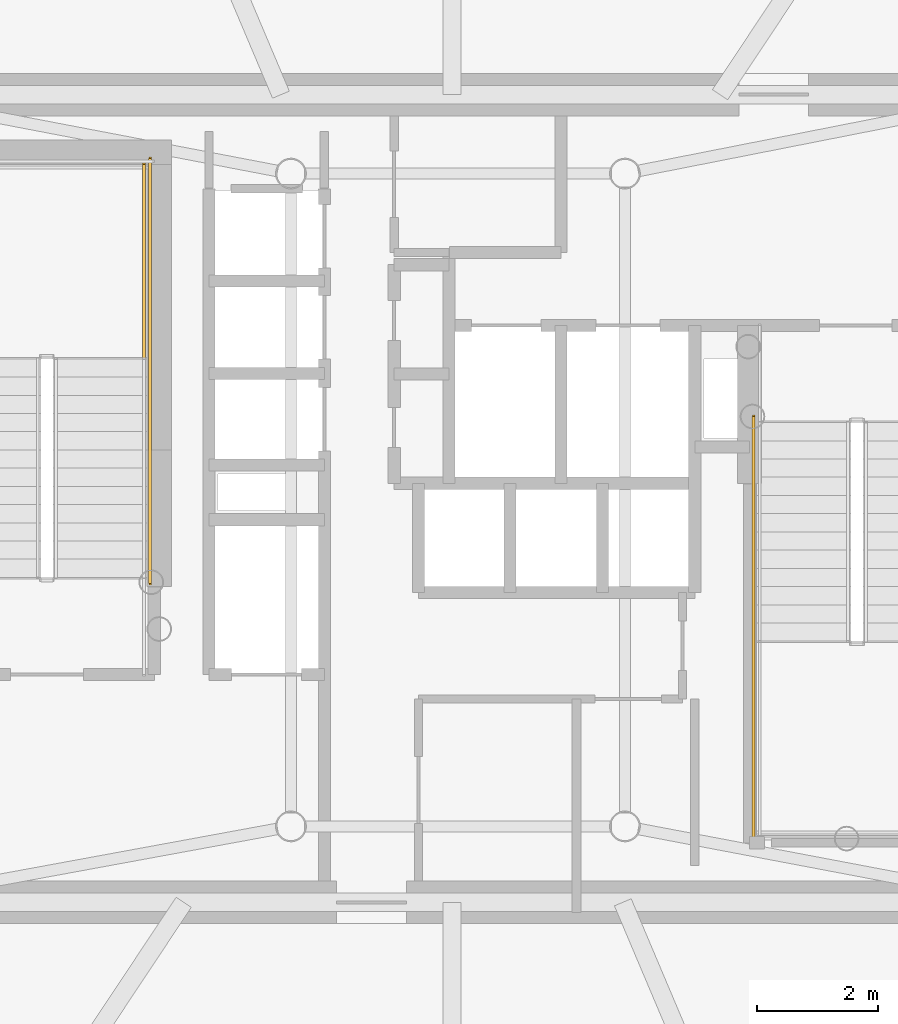
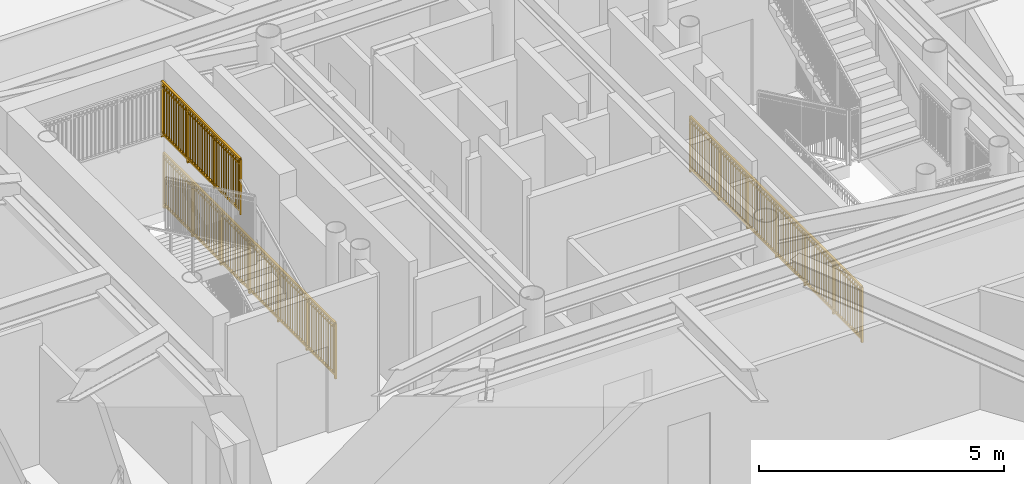
# One storey, part 15 of 18: 3 railings.
"""IFC4 building model written with IfcOpenShell, lengths in metres."""

from ifc_helpers import new_model, si_unit, direction, frame, origin, origin_2d, place, context, subcontext, project, spatial, rectangle, extrude, source, transform, mapped, material, type_object, element, save


model = new_model("IFC4")

# Units and contexts
model_context = context("Model", 3, precision=1e-05, world=origin(), true_north=direction((0.0, 1.0)))
body_context = subcontext(model_context, "Body", "Model", "MODEL_VIEW")
ifc_project = project(units=[si_unit("LENGTHUNIT", "METRE"), si_unit("AREAUNIT", "SQUARE_METRE"), si_unit("VOLUMEUNIT", "CUBIC_METRE"), si_unit("PLANEANGLEUNIT", "RADIAN"), si_unit("MASSUNIT", "GRAM", prefix="KILO")], contexts=[model_context])

# Site, building, storey
site_placement = place(None, origin())
site = spatial("IfcSite", under=ifc_project, at=site_placement, CompositionType="ELEMENT")
building_placement = place(site_placement, origin())
building = spatial("IfcBuilding", under=site, at=building_placement, Name="Linh Dai School and Residence Tower", CompositionType="ELEMENT")
storey_placement = place(building_placement, frame((0.0, 0.0, 244.050048828125)))
storey = spatial("IfcBuildingStorey", under=building, at=storey_placement, Name="L60", CompositionType="ELEMENT", Elevation=244.050048828125)

# Railings
ifc_material = material(Name="Structural Steel S355JR", Category="steel")
railing_type = type_object("IfcRailingType", Name="RL-ST-GUARD-1400", PredefinedType="GUARDRAIL", material=ifc_material)
shared_shape_1 = source(origin(), body_context, "Body", "SweptSolid", [
    extrude(rectangle(XDim=0.048095703125, YDim=0.048095703125, at=origin_2d()), frame((0.0, 0.0, 1.3759765625), z_axis=(0.0, 1.0, 0.0), x_axis=(-1.0, 0.0, 0.0)), (0.0, 0.0, 1.0), 7.0),
    extrude(rectangle(XDim=0.048095703125, YDim=0.048095703125, at=origin_2d()), frame((0.0, 0.0, 0.10009765625), z_axis=(0.0, 1.0, 0.0), x_axis=(-1.0, 0.0, 0.0)), (0.0, 0.0, 1.0), 7.0),
    extrude(rectangle(XDim=0.030029296875, YDim=0.030029296875, at=origin_2d()), frame((0.0, 0.0, 1.239990234375), z_axis=(0.0, 1.0, 0.0), x_axis=(-1.0, 0.0, 0.0)), (0.0, 0.0, 1.0), 7.0),
    extrude(rectangle(XDim=0.02001953125, YDim=0.02001953125, at=origin_2d()), frame((0.0, 0.09716796875, 0.10009765625)), (0.0, 0.0, 1.0), 1.251708984375),
    extrude(rectangle(XDim=0.02001953125, YDim=0.02001953125, at=origin_2d()), frame((0.0, 0.1943359375, 0.10009765625)), (0.0, 0.0, 1.0), 1.251708984375),
    extrude(rectangle(XDim=0.02001953125, YDim=0.02001953125, at=origin_2d()), frame((0.0, 0.291748046875, 0.10009765625)), (0.0, 0.0, 1.0), 1.251708984375),
    extrude(rectangle(XDim=0.02001953125, YDim=0.02001953125, at=origin_2d()), frame((0.0, 0.388916015625, 0.10009765625)), (0.0, 0.0, 1.0), 1.251708984375),
    extrude(rectangle(XDim=0.02001953125, YDim=0.02001953125, at=origin_2d()), frame((0.0, 0.486083984375, 0.10009765625)), (0.0, 0.0, 1.0), 1.251708984375),
    extrude(rectangle(XDim=0.02001953125, YDim=0.02001953125, at=origin_2d()), frame((0.0, 0.583251953125, 0.10009765625)), (0.0, 0.0, 1.0), 1.251708984375),
    extrude(rectangle(XDim=0.02001953125, YDim=0.02001953125, at=origin_2d()), frame((0.0, 0.6806640625, 0.10009765625)), (0.0, 0.0, 1.0), 1.251708984375),
    extrude(rectangle(XDim=0.02001953125, YDim=0.02001953125, at=origin_2d()), frame((0.0, 0.77783203125, 0.10009765625)), (0.0, 0.0, 1.0), 1.251708984375),
    extrude(rectangle(XDim=0.02001953125, YDim=0.02001953125, at=origin_2d()), frame((0.0, 0.875, 0.10009765625)), (0.0, 0.0, 1.0), 1.251708984375),
    extrude(rectangle(XDim=0.02001953125, YDim=0.02001953125, at=origin_2d()), frame((0.0, 0.97216796875, 0.10009765625)), (0.0, 0.0, 1.0), 1.251708984375),
    extrude(rectangle(XDim=0.02001953125, YDim=0.02001953125, at=origin_2d()), frame((0.0, 1.0693359375, 0.10009765625)), (0.0, 0.0, 1.0), 1.251708984375),
    extrude(rectangle(XDim=0.02001953125, YDim=0.02001953125, at=origin_2d()), frame((0.0, 1.263916015625, 0.10009765625)), (0.0, 0.0, 1.0), 1.251708984375),
    extrude(rectangle(XDim=0.02001953125, YDim=0.02001953125, at=origin_2d()), frame((0.0, 1.361083984375, 0.10009765625)), (0.0, 0.0, 1.0), 1.251708984375),
    extrude(rectangle(XDim=0.02001953125, YDim=0.02001953125, at=origin_2d()), frame((0.0, 1.458251953125, 0.10009765625)), (0.0, 0.0, 1.0), 1.251708984375),
    extrude(rectangle(XDim=0.02001953125, YDim=0.02001953125, at=origin_2d()), frame((0.0, 1.5556640625, 0.10009765625)), (0.0, 0.0, 1.0), 1.251708984375),
    extrude(rectangle(XDim=0.02001953125, YDim=0.02001953125, at=origin_2d()), frame((0.0, 1.65283203125, 0.10009765625)), (0.0, 0.0, 1.0), 1.251708984375),
    extrude(rectangle(XDim=0.02001953125, YDim=0.02001953125, at=origin_2d()), frame((0.0, 1.75, 0.10009765625)), (0.0, 0.0, 1.0), 1.251708984375),
    extrude(rectangle(XDim=0.02001953125, YDim=0.02001953125, at=origin_2d()), frame((0.0, 1.84716796875, 0.10009765625)), (0.0, 0.0, 1.0), 1.251708984375),
    extrude(rectangle(XDim=0.02001953125, YDim=0.02001953125, at=origin_2d()), frame((0.0, 1.9443359375, 0.10009765625)), (0.0, 0.0, 1.0), 1.251708984375),
    extrude(rectangle(XDim=0.02001953125, YDim=0.02001953125, at=origin_2d()), frame((0.0, 2.041748046875, 0.10009765625)), (0.0, 0.0, 1.0), 1.251708984375),
    extrude(rectangle(XDim=0.02001953125, YDim=0.02001953125, at=origin_2d()), frame((0.0, 2.138916015625, 0.10009765625)), (0.0, 0.0, 1.0), 1.251708984375),
    extrude(rectangle(XDim=0.02001953125, YDim=0.02001953125, at=origin_2d()), frame((0.0, 2.236083984375, 0.10009765625)), (0.0, 0.0, 1.0), 1.251708984375),
    extrude(rectangle(XDim=0.02001953125, YDim=0.02001953125, at=origin_2d()), frame((0.0, 2.4306640625, 0.10009765625)), (0.0, 0.0, 1.0), 1.251708984375),
    extrude(rectangle(XDim=0.02001953125, YDim=0.02001953125, at=origin_2d()), frame((0.0, 2.52783203125, 0.10009765625)), (0.0, 0.0, 1.0), 1.251708984375),
    extrude(rectangle(XDim=0.02001953125, YDim=0.02001953125, at=origin_2d()), frame((0.0, 2.625, 0.10009765625)), (0.0, 0.0, 1.0), 1.251708984375),
    extrude(rectangle(XDim=0.02001953125, YDim=0.02001953125, at=origin_2d()), frame((0.0, 2.72216796875, 0.10009765625)), (0.0, 0.0, 1.0), 1.251708984375),
    extrude(rectangle(XDim=0.02001953125, YDim=0.02001953125, at=origin_2d()), frame((0.0, 2.8193359375, 0.10009765625)), (0.0, 0.0, 1.0), 1.251708984375),
    extrude(rectangle(XDim=0.02001953125, YDim=0.02001953125, at=origin_2d()), frame((0.0, 2.916748046875, 0.10009765625)), (0.0, 0.0, 1.0), 1.251708984375),
    extrude(rectangle(XDim=0.02001953125, YDim=0.02001953125, at=origin_2d()), frame((0.0, 3.013916015625, 0.10009765625)), (0.0, 0.0, 1.0), 1.251708984375),
    extrude(rectangle(XDim=0.02001953125, YDim=0.02001953125, at=origin_2d()), frame((0.0, 3.111083984375, 0.10009765625)), (0.0, 0.0, 1.0), 1.251708984375),
    extrude(rectangle(XDim=0.02001953125, YDim=0.02001953125, at=origin_2d()), frame((0.0, 3.208251953125, 0.10009765625)), (0.0, 0.0, 1.0), 1.251708984375),
    extrude(rectangle(XDim=0.02001953125, YDim=0.02001953125, at=origin_2d()), frame((0.0, 3.3056640625, 0.10009765625)), (0.0, 0.0, 1.0), 1.251708984375),
    extrude(rectangle(XDim=0.02001953125, YDim=0.02001953125, at=origin_2d()), frame((0.0, 3.40283203125, 0.10009765625)), (0.0, 0.0, 1.0), 1.251708984375),
    extrude(rectangle(XDim=0.02001953125, YDim=0.02001953125, at=origin_2d()), frame((0.0, 3.59716796875, 0.10009765625)), (0.0, 0.0, 1.0), 1.251708984375),
    extrude(rectangle(XDim=0.02001953125, YDim=0.02001953125, at=origin_2d()), frame((0.0, 3.6943359375, 0.10009765625)), (0.0, 0.0, 1.0), 1.251708984375),
    extrude(rectangle(XDim=0.02001953125, YDim=0.02001953125, at=origin_2d()), frame((0.0, 3.791748046875, 0.10009765625)), (0.0, 0.0, 1.0), 1.251708984375),
    extrude(rectangle(XDim=0.02001953125, YDim=0.02001953125, at=origin_2d()), frame((0.0, 3.888916015625, 0.10009765625)), (0.0, 0.0, 1.0), 1.251708984375),
    extrude(rectangle(XDim=0.02001953125, YDim=0.02001953125, at=origin_2d()), frame((0.0, 3.986083984375, 0.10009765625)), (0.0, 0.0, 1.0), 1.251708984375),
    extrude(rectangle(XDim=0.02001953125, YDim=0.02001953125, at=origin_2d()), frame((0.0, 4.083251953125, 0.10009765625)), (0.0, 0.0, 1.0), 1.251708984375),
    extrude(rectangle(XDim=0.02001953125, YDim=0.02001953125, at=origin_2d()), frame((0.0, 4.1806640625, 0.10009765625)), (0.0, 0.0, 1.0), 1.251708984375),
    extrude(rectangle(XDim=0.02001953125, YDim=0.02001953125, at=origin_2d()), frame((0.0, 4.27783203125, 0.10009765625)), (0.0, 0.0, 1.0), 1.251708984375),
    extrude(rectangle(XDim=0.02001953125, YDim=0.02001953125, at=origin_2d()), frame((0.0, 4.375, 0.10009765625)), (0.0, 0.0, 1.0), 1.251708984375),
    extrude(rectangle(XDim=0.02001953125, YDim=0.02001953125, at=origin_2d()), frame((0.0, 4.47216796875, 0.10009765625)), (0.0, 0.0, 1.0), 1.251708984375),
    extrude(rectangle(XDim=0.02001953125, YDim=0.02001953125, at=origin_2d()), frame((0.0, 4.5693359375, 0.10009765625)), (0.0, 0.0, 1.0), 1.251708984375),
    extrude(rectangle(XDim=0.02001953125, YDim=0.02001953125, at=origin_2d()), frame((0.0, 4.763916015625, 0.10009765625)), (0.0, 0.0, 1.0), 1.251708984375),
    extrude(rectangle(XDim=0.02001953125, YDim=0.02001953125, at=origin_2d()), frame((0.0, 4.861083984375, 0.10009765625)), (0.0, 0.0, 1.0), 1.251708984375),
    extrude(rectangle(XDim=0.02001953125, YDim=0.02001953125, at=origin_2d()), frame((0.0, 4.958251953125, 0.10009765625)), (0.0, 0.0, 1.0), 1.251708984375),
    extrude(rectangle(XDim=0.02001953125, YDim=0.02001953125, at=origin_2d()), frame((0.0, 5.0556640625, 0.10009765625)), (0.0, 0.0, 1.0), 1.251708984375),
    extrude(rectangle(XDim=0.02001953125, YDim=0.02001953125, at=origin_2d()), frame((0.0, 5.15283203125, 0.10009765625)), (0.0, 0.0, 1.0), 1.251708984375),
    extrude(rectangle(XDim=0.02001953125, YDim=0.02001953125, at=origin_2d()), frame((0.0, 5.25, 0.10009765625)), (0.0, 0.0, 1.0), 1.251708984375),
    extrude(rectangle(XDim=0.02001953125, YDim=0.02001953125, at=origin_2d()), frame((0.0, 5.34716796875, 0.10009765625)), (0.0, 0.0, 1.0), 1.251708984375),
    extrude(rectangle(XDim=0.02001953125, YDim=0.02001953125, at=origin_2d()), frame((0.0, 5.4443359375, 0.10009765625)), (0.0, 0.0, 1.0), 1.251708984375),
    extrude(rectangle(XDim=0.02001953125, YDim=0.02001953125, at=origin_2d()), frame((0.0, 5.541748046875, 0.10009765625)), (0.0, 0.0, 1.0), 1.251708984375),
    extrude(rectangle(XDim=0.02001953125, YDim=0.02001953125, at=origin_2d()), frame((0.0, 5.638916015625, 0.10009765625)), (0.0, 0.0, 1.0), 1.251708984375),
    extrude(rectangle(XDim=0.02001953125, YDim=0.02001953125, at=origin_2d()), frame((0.0, 5.736083984375, 0.10009765625)), (0.0, 0.0, 1.0), 1.251708984375),
    extrude(rectangle(XDim=0.02001953125, YDim=0.02001953125, at=origin_2d()), frame((0.0, 5.9306640625, 0.10009765625)), (0.0, 0.0, 1.0), 1.251708984375),
    extrude(rectangle(XDim=0.02001953125, YDim=0.02001953125, at=origin_2d()), frame((0.0, 6.02783203125, 0.10009765625)), (0.0, 0.0, 1.0), 1.251708984375),
    extrude(rectangle(XDim=0.02001953125, YDim=0.02001953125, at=origin_2d()), frame((0.0, 6.125, 0.10009765625)), (0.0, 0.0, 1.0), 1.251708984375),
    extrude(rectangle(XDim=0.02001953125, YDim=0.02001953125, at=origin_2d()), frame((0.0, 6.22216796875, 0.10009765625)), (0.0, 0.0, 1.0), 1.251708984375),
    extrude(rectangle(XDim=0.02001953125, YDim=0.02001953125, at=origin_2d()), frame((0.0, 6.3193359375, 0.10009765625)), (0.0, 0.0, 1.0), 1.251708984375),
    extrude(rectangle(XDim=0.02001953125, YDim=0.02001953125, at=origin_2d()), frame((0.0, 6.416748046875, 0.10009765625)), (0.0, 0.0, 1.0), 1.251708984375),
    extrude(rectangle(XDim=0.02001953125, YDim=0.02001953125, at=origin_2d()), frame((0.0, 6.513916015625, 0.10009765625)), (0.0, 0.0, 1.0), 1.251708984375),
    extrude(rectangle(XDim=0.02001953125, YDim=0.02001953125, at=origin_2d()), frame((0.0, 6.611083984375, 0.10009765625)), (0.0, 0.0, 1.0), 1.251708984375),
    extrude(rectangle(XDim=0.02001953125, YDim=0.02001953125, at=origin_2d()), frame((0.0, 6.708251953125, 0.10009765625)), (0.0, 0.0, 1.0), 1.251708984375),
    extrude(rectangle(XDim=0.02001953125, YDim=0.02001953125, at=origin_2d()), frame((0.0, 6.8056640625, 0.10009765625)), (0.0, 0.0, 1.0), 1.251708984375),
    extrude(rectangle(XDim=0.02001953125, YDim=0.02001953125, at=origin_2d()), frame((0.0, 6.90283203125, 0.10009765625)), (0.0, 0.0, 1.0), 1.251708984375),
    extrude(rectangle(XDim=0.0419921875, YDim=0.0419921875, at=origin_2d()), origin(), (0.0, 0.0, 1.0), 1.3759765625),
    extrude(rectangle(XDim=0.0419921875, YDim=0.0419921875, at=origin_2d()), frame((0.0, 1.166748046875, 0.0)), (0.0, 0.0, 1.0), 1.3759765625),
    extrude(rectangle(XDim=0.0419921875, YDim=0.0419921875, at=origin_2d()), frame((0.0, 2.333251953125, 0.0)), (0.0, 0.0, 1.0), 1.3759765625),
    extrude(rectangle(XDim=0.0419921875, YDim=0.0419921875, at=origin_2d()), frame((0.0, 3.5, 0.0)), (0.0, 0.0, 1.0), 1.3759765625),
    extrude(rectangle(XDim=0.0419921875, YDim=0.0419921875, at=origin_2d()), frame((0.0, 4.666748046875, 0.0)), (0.0, 0.0, 1.0), 1.3759765625),
    extrude(rectangle(XDim=0.0419921875, YDim=0.0419921875, at=origin_2d()), frame((0.0, 5.833251953125, 0.0)), (0.0, 0.0, 1.0), 1.3759765625),
    extrude(rectangle(XDim=0.0419921875, YDim=0.0419921875, at=origin_2d()), frame((0.0, 7.0, 0.0)), (0.0, 0.0, 1.0), 1.3759765625),
])
railing_1_placement = place(storey_placement, frame((31.030029296875, 25.60009765625, 0.0)))
element("IfcRailing", 1, at=railing_1_placement, inside=storey, type_object=railing_type, Name="L60 ST1 stair guard 10", PredefinedType="GUARDRAIL", context=body_context, shape_type="MappedRepresentation", body=[
    mapped(shared_shape_1, transform((0.0, 0.0, 0.0), x_axis=(1.0, 0.0, 0.0), y_axis=(0.0, 1.0, 0.0), z_axis=(0.0, 0.0, 1.0), scale=1.0)),
])
shared_shape_2 = source(origin(), body_context, "Body", "SweptSolid", [
    extrude(rectangle(XDim=0.048095703125, YDim=0.048095703125, at=origin_2d()), frame((0.0, 0.0, 1.3759765625), z_axis=(0.0, 1.0, 0.0), x_axis=(-1.0, 0.0, 0.0)), (0.0, 0.0, 1.0), 3.199951171875),
    extrude(rectangle(XDim=0.048095703125, YDim=0.048095703125, at=origin_2d()), frame((0.0, 0.0, 0.10009765625), z_axis=(0.0, 1.0, 0.0), x_axis=(-1.0, 0.0, 0.0)), (0.0, 0.0, 1.0), 3.199951171875),
    extrude(rectangle(XDim=0.030029296875, YDim=0.030029296875, at=origin_2d()), frame((0.0, 0.0, 1.239990234375), z_axis=(0.0, 1.0, 0.0), x_axis=(-1.0, 0.0, 0.0)), (0.0, 0.0, 1.0), 3.199951171875),
    extrude(rectangle(XDim=0.02001953125, YDim=0.02001953125, at=origin_2d()), frame((0.0, 0.096923828125, 0.10009765625)), (0.0, 0.0, 1.0), 1.251708984375),
    extrude(rectangle(XDim=0.02001953125, YDim=0.02001953125, at=origin_2d()), frame((0.0, 0.19384765625, 0.10009765625)), (0.0, 0.0, 1.0), 1.251708984375),
    extrude(rectangle(XDim=0.02001953125, YDim=0.02001953125, at=origin_2d()), frame((0.0, 0.291015625, 0.10009765625)), (0.0, 0.0, 1.0), 1.251708984375),
    extrude(rectangle(XDim=0.02001953125, YDim=0.02001953125, at=origin_2d()), frame((0.0, 0.387939453125, 0.10009765625)), (0.0, 0.0, 1.0), 1.251708984375),
    extrude(rectangle(XDim=0.02001953125, YDim=0.02001953125, at=origin_2d()), frame((0.0, 0.48486328125, 0.10009765625)), (0.0, 0.0, 1.0), 1.251708984375),
    extrude(rectangle(XDim=0.02001953125, YDim=0.02001953125, at=origin_2d()), frame((0.0, 0.581787109375, 0.10009765625)), (0.0, 0.0, 1.0), 1.251708984375),
    extrude(rectangle(XDim=0.02001953125, YDim=0.02001953125, at=origin_2d()), frame((0.0, 0.6787109375, 0.10009765625)), (0.0, 0.0, 1.0), 1.251708984375),
    extrude(rectangle(XDim=0.02001953125, YDim=0.02001953125, at=origin_2d()), frame((0.0, 0.775634765625, 0.10009765625)), (0.0, 0.0, 1.0), 1.251708984375),
    extrude(rectangle(XDim=0.02001953125, YDim=0.02001953125, at=origin_2d()), frame((0.0, 0.872802734375, 0.10009765625)), (0.0, 0.0, 1.0), 1.251708984375),
    extrude(rectangle(XDim=0.02001953125, YDim=0.02001953125, at=origin_2d()), frame((0.0, 0.9697265625, 0.10009765625)), (0.0, 0.0, 1.0), 1.251708984375),
    extrude(rectangle(XDim=0.02001953125, YDim=0.02001953125, at=origin_2d()), frame((0.0, 1.16357421875, 0.10009765625)), (0.0, 0.0, 1.0), 1.251708984375),
    extrude(rectangle(XDim=0.02001953125, YDim=0.02001953125, at=origin_2d()), frame((0.0, 1.260498046875, 0.10009765625)), (0.0, 0.0, 1.0), 1.251708984375),
    extrude(rectangle(XDim=0.02001953125, YDim=0.02001953125, at=origin_2d()), frame((0.0, 1.357666015625, 0.10009765625)), (0.0, 0.0, 1.0), 1.251708984375),
    extrude(rectangle(XDim=0.02001953125, YDim=0.02001953125, at=origin_2d()), frame((0.0, 1.45458984375, 0.10009765625)), (0.0, 0.0, 1.0), 1.251708984375),
    extrude(rectangle(XDim=0.02001953125, YDim=0.02001953125, at=origin_2d()), frame((0.0, 1.551513671875, 0.10009765625)), (0.0, 0.0, 1.0), 1.251708984375),
    extrude(rectangle(XDim=0.02001953125, YDim=0.02001953125, at=origin_2d()), frame((0.0, 1.6484375, 0.10009765625)), (0.0, 0.0, 1.0), 1.251708984375),
    extrude(rectangle(XDim=0.02001953125, YDim=0.02001953125, at=origin_2d()), frame((0.0, 1.745361328125, 0.10009765625)), (0.0, 0.0, 1.0), 1.251708984375),
    extrude(rectangle(XDim=0.02001953125, YDim=0.02001953125, at=origin_2d()), frame((0.0, 1.84228515625, 0.10009765625)), (0.0, 0.0, 1.0), 1.251708984375),
    extrude(rectangle(XDim=0.02001953125, YDim=0.02001953125, at=origin_2d()), frame((0.0, 1.939453125, 0.10009765625)), (0.0, 0.0, 1.0), 1.251708984375),
    extrude(rectangle(XDim=0.02001953125, YDim=0.02001953125, at=origin_2d()), frame((0.0, 2.036376953125, 0.10009765625)), (0.0, 0.0, 1.0), 1.251708984375),
    extrude(rectangle(XDim=0.02001953125, YDim=0.02001953125, at=origin_2d()), frame((0.0, 2.230224609375, 0.10009765625)), (0.0, 0.0, 1.0), 1.251708984375),
    extrude(rectangle(XDim=0.02001953125, YDim=0.02001953125, at=origin_2d()), frame((0.0, 2.3271484375, 0.10009765625)), (0.0, 0.0, 1.0), 1.251708984375),
    extrude(rectangle(XDim=0.02001953125, YDim=0.02001953125, at=origin_2d()), frame((0.0, 2.42431640625, 0.10009765625)), (0.0, 0.0, 1.0), 1.251708984375),
    extrude(rectangle(XDim=0.02001953125, YDim=0.02001953125, at=origin_2d()), frame((0.0, 2.521240234375, 0.10009765625)), (0.0, 0.0, 1.0), 1.251708984375),
    extrude(rectangle(XDim=0.02001953125, YDim=0.02001953125, at=origin_2d()), frame((0.0, 2.6181640625, 0.10009765625)), (0.0, 0.0, 1.0), 1.251708984375),
    extrude(rectangle(XDim=0.02001953125, YDim=0.02001953125, at=origin_2d()), frame((0.0, 2.715087890625, 0.10009765625)), (0.0, 0.0, 1.0), 1.251708984375),
    extrude(rectangle(XDim=0.02001953125, YDim=0.02001953125, at=origin_2d()), frame((0.0, 2.81201171875, 0.10009765625)), (0.0, 0.0, 1.0), 1.251708984375),
    extrude(rectangle(XDim=0.02001953125, YDim=0.02001953125, at=origin_2d()), frame((0.0, 2.908935546875, 0.10009765625)), (0.0, 0.0, 1.0), 1.251708984375),
    extrude(rectangle(XDim=0.02001953125, YDim=0.02001953125, at=origin_2d()), frame((0.0, 3.006103515625, 0.10009765625)), (0.0, 0.0, 1.0), 1.251708984375),
    extrude(rectangle(XDim=0.02001953125, YDim=0.02001953125, at=origin_2d()), frame((0.0, 3.10302734375, 0.10009765625)), (0.0, 0.0, 1.0), 1.251708984375),
    extrude(rectangle(XDim=0.0419921875, YDim=0.0419921875, at=origin_2d()), origin(), (0.0, 0.0, 1.0), 1.3759765625),
    extrude(rectangle(XDim=0.0419921875, YDim=0.0419921875, at=origin_2d()), frame((0.0, 1.066650390625, 0.0)), (0.0, 0.0, 1.0), 1.3759765625),
    extrude(rectangle(XDim=0.0419921875, YDim=0.0419921875, at=origin_2d()), frame((0.0, 2.13330078125, 0.0)), (0.0, 0.0, 1.0), 1.3759765625),
    extrude(rectangle(XDim=0.0419921875, YDim=0.0419921875, at=origin_2d()), frame((0.0, 3.199951171875, 0.0)), (0.0, 0.0, 1.0), 1.3759765625),
])
railing_2_placement = place(storey_placement, frame((30.929931640625, 29.300048828125, 1.875)))
element("IfcRailing", 2, at=railing_2_placement, inside=storey, type_object=railing_type, Name="L60 ST1 stair guard 3", PredefinedType="GUARDRAIL", context=body_context, shape_type="MappedRepresentation", body=[
    mapped(shared_shape_2, transform((0.0, 0.0, 0.0), x_axis=(1.0, 0.0, 0.0), y_axis=(0.0, 1.0, 0.0), z_axis=(0.0, 0.0, 1.0), scale=1.0)),
])
shared_shape_3 = source(origin(), body_context, "Body", "SweptSolid", [
    extrude(rectangle(XDim=0.048095703125, YDim=0.048095703125, at=origin_2d()), frame((0.0, 0.0, 1.3759765625), z_axis=(0.0, -1.0, 0.0), x_axis=(1.0, 0.0, 0.0)), (0.0, 0.0, 1.0), 7.0),
    extrude(rectangle(XDim=0.048095703125, YDim=0.048095703125, at=origin_2d()), frame((0.0, 0.0, 0.10009765625), z_axis=(0.0, -1.0, 0.0), x_axis=(1.0, 0.0, 0.0)), (0.0, 0.0, 1.0), 7.0),
    extrude(rectangle(XDim=0.030029296875, YDim=0.030029296875, at=origin_2d()), frame((0.0, 0.0, 1.239990234375), z_axis=(0.0, -1.0, 0.0), x_axis=(1.0, 0.0, 0.0)), (0.0, 0.0, 1.0), 7.0),
    extrude(rectangle(XDim=0.02001953125, YDim=0.02001953125, at=origin_2d()), frame((0.0, -0.09716796875, 0.10009765625)), (0.0, 0.0, 1.0), 1.251708984375),
    extrude(rectangle(XDim=0.02001953125, YDim=0.02001953125, at=origin_2d()), frame((0.0, -0.1943359375, 0.10009765625)), (0.0, 0.0, 1.0), 1.251708984375),
    extrude(rectangle(XDim=0.02001953125, YDim=0.02001953125, at=origin_2d()), frame((0.0, -0.291748046875, 0.10009765625)), (0.0, 0.0, 1.0), 1.251708984375),
    extrude(rectangle(XDim=0.02001953125, YDim=0.02001953125, at=origin_2d()), frame((0.0, -0.388916015625, 0.10009765625)), (0.0, 0.0, 1.0), 1.251708984375),
    extrude(rectangle(XDim=0.02001953125, YDim=0.02001953125, at=origin_2d()), frame((0.0, -0.486083984375, 0.10009765625)), (0.0, 0.0, 1.0), 1.251708984375),
    extrude(rectangle(XDim=0.02001953125, YDim=0.02001953125, at=origin_2d()), frame((0.0, -0.583251953125, 0.10009765625)), (0.0, 0.0, 1.0), 1.251708984375),
    extrude(rectangle(XDim=0.02001953125, YDim=0.02001953125, at=origin_2d()), frame((0.0, -0.6806640625, 0.10009765625)), (0.0, 0.0, 1.0), 1.251708984375),
    extrude(rectangle(XDim=0.02001953125, YDim=0.02001953125, at=origin_2d()), frame((0.0, -0.77783203125, 0.10009765625)), (0.0, 0.0, 1.0), 1.251708984375),
    extrude(rectangle(XDim=0.02001953125, YDim=0.02001953125, at=origin_2d()), frame((0.0, -0.875, 0.10009765625)), (0.0, 0.0, 1.0), 1.251708984375),
    extrude(rectangle(XDim=0.02001953125, YDim=0.02001953125, at=origin_2d()), frame((0.0, -0.97216796875, 0.10009765625)), (0.0, 0.0, 1.0), 1.251708984375),
    extrude(rectangle(XDim=0.02001953125, YDim=0.02001953125, at=origin_2d()), frame((0.0, -1.0693359375, 0.10009765625)), (0.0, 0.0, 1.0), 1.251708984375),
    extrude(rectangle(XDim=0.02001953125, YDim=0.02001953125, at=origin_2d()), frame((0.0, -1.263916015625, 0.10009765625)), (0.0, 0.0, 1.0), 1.251708984375),
    extrude(rectangle(XDim=0.02001953125, YDim=0.02001953125, at=origin_2d()), frame((0.0, -1.361083984375, 0.10009765625)), (0.0, 0.0, 1.0), 1.251708984375),
    extrude(rectangle(XDim=0.02001953125, YDim=0.02001953125, at=origin_2d()), frame((0.0, -1.458251953125, 0.10009765625)), (0.0, 0.0, 1.0), 1.251708984375),
    extrude(rectangle(XDim=0.02001953125, YDim=0.02001953125, at=origin_2d()), frame((0.0, -1.5556640625, 0.10009765625)), (0.0, 0.0, 1.0), 1.251708984375),
    extrude(rectangle(XDim=0.02001953125, YDim=0.02001953125, at=origin_2d()), frame((0.0, -1.65283203125, 0.10009765625)), (0.0, 0.0, 1.0), 1.251708984375),
    extrude(rectangle(XDim=0.02001953125, YDim=0.02001953125, at=origin_2d()), frame((0.0, -1.75, 0.10009765625)), (0.0, 0.0, 1.0), 1.251708984375),
    extrude(rectangle(XDim=0.02001953125, YDim=0.02001953125, at=origin_2d()), frame((0.0, -1.84716796875, 0.10009765625)), (0.0, 0.0, 1.0), 1.251708984375),
    extrude(rectangle(XDim=0.02001953125, YDim=0.02001953125, at=origin_2d()), frame((0.0, -1.9443359375, 0.10009765625)), (0.0, 0.0, 1.0), 1.251708984375),
    extrude(rectangle(XDim=0.02001953125, YDim=0.02001953125, at=origin_2d()), frame((0.0, -2.041748046875, 0.10009765625)), (0.0, 0.0, 1.0), 1.251708984375),
    extrude(rectangle(XDim=0.02001953125, YDim=0.02001953125, at=origin_2d()), frame((0.0, -2.138916015625, 0.10009765625)), (0.0, 0.0, 1.0), 1.251708984375),
    extrude(rectangle(XDim=0.02001953125, YDim=0.02001953125, at=origin_2d()), frame((0.0, -2.236083984375, 0.10009765625)), (0.0, 0.0, 1.0), 1.251708984375),
    extrude(rectangle(XDim=0.02001953125, YDim=0.02001953125, at=origin_2d()), frame((0.0, -2.4306640625, 0.10009765625)), (0.0, 0.0, 1.0), 1.251708984375),
    extrude(rectangle(XDim=0.02001953125, YDim=0.02001953125, at=origin_2d()), frame((0.0, -2.52783203125, 0.10009765625)), (0.0, 0.0, 1.0), 1.251708984375),
    extrude(rectangle(XDim=0.02001953125, YDim=0.02001953125, at=origin_2d()), frame((0.0, -2.625, 0.10009765625)), (0.0, 0.0, 1.0), 1.251708984375),
    extrude(rectangle(XDim=0.02001953125, YDim=0.02001953125, at=origin_2d()), frame((0.0, -2.72216796875, 0.10009765625)), (0.0, 0.0, 1.0), 1.251708984375),
    extrude(rectangle(XDim=0.02001953125, YDim=0.02001953125, at=origin_2d()), frame((0.0, -2.8193359375, 0.10009765625)), (0.0, 0.0, 1.0), 1.251708984375),
    extrude(rectangle(XDim=0.02001953125, YDim=0.02001953125, at=origin_2d()), frame((0.0, -2.916748046875, 0.10009765625)), (0.0, 0.0, 1.0), 1.251708984375),
    extrude(rectangle(XDim=0.02001953125, YDim=0.02001953125, at=origin_2d()), frame((0.0, -3.013916015625, 0.10009765625)), (0.0, 0.0, 1.0), 1.251708984375),
    extrude(rectangle(XDim=0.02001953125, YDim=0.02001953125, at=origin_2d()), frame((0.0, -3.111083984375, 0.10009765625)), (0.0, 0.0, 1.0), 1.251708984375),
    extrude(rectangle(XDim=0.02001953125, YDim=0.02001953125, at=origin_2d()), frame((0.0, -3.208251953125, 0.10009765625)), (0.0, 0.0, 1.0), 1.251708984375),
    extrude(rectangle(XDim=0.02001953125, YDim=0.02001953125, at=origin_2d()), frame((0.0, -3.3056640625, 0.10009765625)), (0.0, 0.0, 1.0), 1.251708984375),
    extrude(rectangle(XDim=0.02001953125, YDim=0.02001953125, at=origin_2d()), frame((0.0, -3.40283203125, 0.10009765625)), (0.0, 0.0, 1.0), 1.251708984375),
    extrude(rectangle(XDim=0.02001953125, YDim=0.02001953125, at=origin_2d()), frame((0.0, -3.59716796875, 0.10009765625)), (0.0, 0.0, 1.0), 1.251708984375),
    extrude(rectangle(XDim=0.02001953125, YDim=0.02001953125, at=origin_2d()), frame((0.0, -3.6943359375, 0.10009765625)), (0.0, 0.0, 1.0), 1.251708984375),
    extrude(rectangle(XDim=0.02001953125, YDim=0.02001953125, at=origin_2d()), frame((0.0, -3.791748046875, 0.10009765625)), (0.0, 0.0, 1.0), 1.251708984375),
    extrude(rectangle(XDim=0.02001953125, YDim=0.02001953125, at=origin_2d()), frame((0.0, -3.888916015625, 0.10009765625)), (0.0, 0.0, 1.0), 1.251708984375),
    extrude(rectangle(XDim=0.02001953125, YDim=0.02001953125, at=origin_2d()), frame((0.0, -3.986083984375, 0.10009765625)), (0.0, 0.0, 1.0), 1.251708984375),
    extrude(rectangle(XDim=0.02001953125, YDim=0.02001953125, at=origin_2d()), frame((0.0, -4.083251953125, 0.10009765625)), (0.0, 0.0, 1.0), 1.251708984375),
    extrude(rectangle(XDim=0.02001953125, YDim=0.02001953125, at=origin_2d()), frame((0.0, -4.1806640625, 0.10009765625)), (0.0, 0.0, 1.0), 1.251708984375),
    extrude(rectangle(XDim=0.02001953125, YDim=0.02001953125, at=origin_2d()), frame((0.0, -4.27783203125, 0.10009765625)), (0.0, 0.0, 1.0), 1.251708984375),
    extrude(rectangle(XDim=0.02001953125, YDim=0.02001953125, at=origin_2d()), frame((0.0, -4.375, 0.10009765625)), (0.0, 0.0, 1.0), 1.251708984375),
    extrude(rectangle(XDim=0.02001953125, YDim=0.02001953125, at=origin_2d()), frame((0.0, -4.47216796875, 0.10009765625)), (0.0, 0.0, 1.0), 1.251708984375),
    extrude(rectangle(XDim=0.02001953125, YDim=0.02001953125, at=origin_2d()), frame((0.0, -4.5693359375, 0.10009765625)), (0.0, 0.0, 1.0), 1.251708984375),
    extrude(rectangle(XDim=0.02001953125, YDim=0.02001953125, at=origin_2d()), frame((0.0, -4.763916015625, 0.10009765625)), (0.0, 0.0, 1.0), 1.251708984375),
    extrude(rectangle(XDim=0.02001953125, YDim=0.02001953125, at=origin_2d()), frame((0.0, -4.861083984375, 0.10009765625)), (0.0, 0.0, 1.0), 1.251708984375),
    extrude(rectangle(XDim=0.02001953125, YDim=0.02001953125, at=origin_2d()), frame((0.0, -4.958251953125, 0.10009765625)), (0.0, 0.0, 1.0), 1.251708984375),
    extrude(rectangle(XDim=0.02001953125, YDim=0.02001953125, at=origin_2d()), frame((0.0, -5.0556640625, 0.10009765625)), (0.0, 0.0, 1.0), 1.251708984375),
    extrude(rectangle(XDim=0.02001953125, YDim=0.02001953125, at=origin_2d()), frame((0.0, -5.15283203125, 0.10009765625)), (0.0, 0.0, 1.0), 1.251708984375),
    extrude(rectangle(XDim=0.02001953125, YDim=0.02001953125, at=origin_2d()), frame((0.0, -5.25, 0.10009765625)), (0.0, 0.0, 1.0), 1.251708984375),
    extrude(rectangle(XDim=0.02001953125, YDim=0.02001953125, at=origin_2d()), frame((0.0, -5.34716796875, 0.10009765625)), (0.0, 0.0, 1.0), 1.251708984375),
    extrude(rectangle(XDim=0.02001953125, YDim=0.02001953125, at=origin_2d()), frame((0.0, -5.4443359375, 0.10009765625)), (0.0, 0.0, 1.0), 1.251708984375),
    extrude(rectangle(XDim=0.02001953125, YDim=0.02001953125, at=origin_2d()), frame((0.0, -5.541748046875, 0.10009765625)), (0.0, 0.0, 1.0), 1.251708984375),
    extrude(rectangle(XDim=0.02001953125, YDim=0.02001953125, at=origin_2d()), frame((0.0, -5.638916015625, 0.10009765625)), (0.0, 0.0, 1.0), 1.251708984375),
    extrude(rectangle(XDim=0.02001953125, YDim=0.02001953125, at=origin_2d()), frame((0.0, -5.736083984375, 0.10009765625)), (0.0, 0.0, 1.0), 1.251708984375),
    extrude(rectangle(XDim=0.02001953125, YDim=0.02001953125, at=origin_2d()), frame((0.0, -5.9306640625, 0.10009765625)), (0.0, 0.0, 1.0), 1.251708984375),
    extrude(rectangle(XDim=0.02001953125, YDim=0.02001953125, at=origin_2d()), frame((0.0, -6.02783203125, 0.10009765625)), (0.0, 0.0, 1.0), 1.251708984375),
    extrude(rectangle(XDim=0.02001953125, YDim=0.02001953125, at=origin_2d()), frame((0.0, -6.125, 0.10009765625)), (0.0, 0.0, 1.0), 1.251708984375),
    extrude(rectangle(XDim=0.02001953125, YDim=0.02001953125, at=origin_2d()), frame((0.0, -6.22216796875, 0.10009765625)), (0.0, 0.0, 1.0), 1.251708984375),
    extrude(rectangle(XDim=0.02001953125, YDim=0.02001953125, at=origin_2d()), frame((0.0, -6.3193359375, 0.10009765625)), (0.0, 0.0, 1.0), 1.251708984375),
    extrude(rectangle(XDim=0.02001953125, YDim=0.02001953125, at=origin_2d()), frame((0.0, -6.416748046875, 0.10009765625)), (0.0, 0.0, 1.0), 1.251708984375),
    extrude(rectangle(XDim=0.02001953125, YDim=0.02001953125, at=origin_2d()), frame((0.0, -6.513916015625, 0.10009765625)), (0.0, 0.0, 1.0), 1.251708984375),
    extrude(rectangle(XDim=0.02001953125, YDim=0.02001953125, at=origin_2d()), frame((0.0, -6.611083984375, 0.10009765625)), (0.0, 0.0, 1.0), 1.251708984375),
    extrude(rectangle(XDim=0.02001953125, YDim=0.02001953125, at=origin_2d()), frame((0.0, -6.708251953125, 0.10009765625)), (0.0, 0.0, 1.0), 1.251708984375),
    extrude(rectangle(XDim=0.02001953125, YDim=0.02001953125, at=origin_2d()), frame((0.0, -6.8056640625, 0.10009765625)), (0.0, 0.0, 1.0), 1.251708984375),
    extrude(rectangle(XDim=0.02001953125, YDim=0.02001953125, at=origin_2d()), frame((0.0, -6.90283203125, 0.10009765625)), (0.0, 0.0, 1.0), 1.251708984375),
    extrude(rectangle(XDim=0.0419921875, YDim=0.0419921875, at=origin_2d()), origin(), (0.0, 0.0, 1.0), 1.3759765625),
    extrude(rectangle(XDim=0.0419921875, YDim=0.0419921875, at=origin_2d()), frame((0.0, -1.166748046875, 0.0)), (0.0, 0.0, 1.0), 1.3759765625),
    extrude(rectangle(XDim=0.0419921875, YDim=0.0419921875, at=origin_2d()), frame((0.0, -2.333251953125, 0.0)), (0.0, 0.0, 1.0), 1.3759765625),
    extrude(rectangle(XDim=0.0419921875, YDim=0.0419921875, at=origin_2d()), frame((0.0, -3.5, 0.0)), (0.0, 0.0, 1.0), 1.3759765625),
    extrude(rectangle(XDim=0.0419921875, YDim=0.0419921875, at=origin_2d()), frame((0.0, -4.666748046875, 0.0)), (0.0, 0.0, 1.0), 1.3759765625),
    extrude(rectangle(XDim=0.0419921875, YDim=0.0419921875, at=origin_2d()), frame((0.0, -5.833251953125, 0.0)), (0.0, 0.0, 1.0), 1.3759765625),
    extrude(rectangle(XDim=0.0419921875, YDim=0.0419921875, at=origin_2d()), frame((0.0, -7.0, 0.0)), (0.0, 0.0, 1.0), 1.3759765625),
])
railing_3_placement = place(storey_placement, frame((40.969970703125, 28.35009765625, 0.0)))
element("IfcRailing", 3, at=railing_3_placement, inside=storey, type_object=railing_type, Name="L60 ST2 stair guard 10", PredefinedType="GUARDRAIL", context=body_context, shape_type="MappedRepresentation", body=[
    mapped(shared_shape_3, transform((0.0, 0.0, 0.0), x_axis=(1.0, 0.0, 0.0), y_axis=(0.0, 1.0, 0.0), z_axis=(0.0, 0.0, 1.0), scale=1.0)),
])

save(model, "model.ifc")
